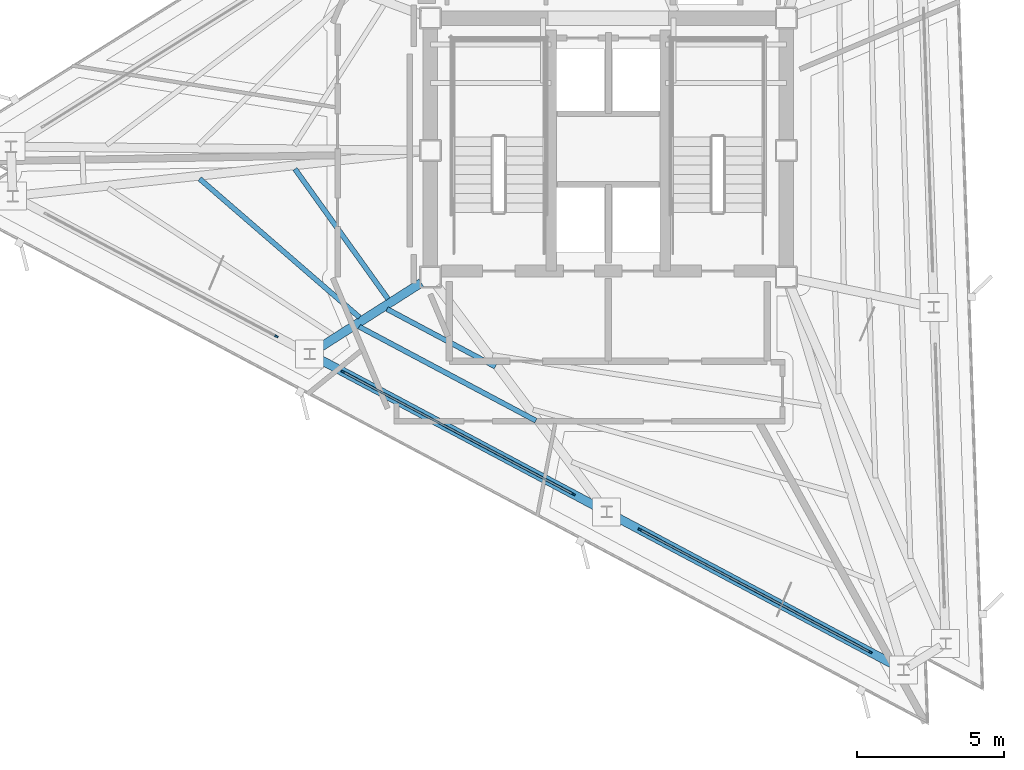
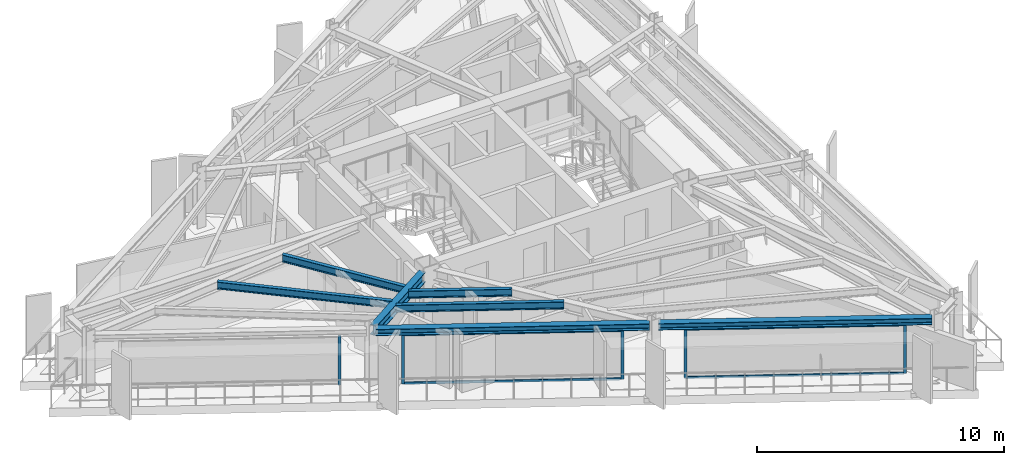
# One storey, part 2 of 13: 9 members, 7 beams, 3 elements without a shape of their own.
"""IFC4 building model written with IfcOpenShell, lengths in metres."""

from ifc_helpers import new_model, si_unit, direction, frame, origin, origin_2d, place, context, subcontext, project, spatial, rectangle, i_section, extrude, material, layer, layer_set, material_profile, profile_set, type_object, element, aggregate, save


model = new_model("IFC4")

# Units and contexts
model_context = context("Model", 3, precision=1e-05, world=origin(), true_north=direction((0.0, 1.0)))
body_context = subcontext(model_context, "Body", "Model", "MODEL_VIEW")
ifc_project = project(units=[si_unit("LENGTHUNIT", "METRE"), si_unit("AREAUNIT", "SQUARE_METRE"), si_unit("VOLUMEUNIT", "CUBIC_METRE"), si_unit("PLANEANGLEUNIT", "RADIAN"), si_unit("MASSUNIT", "GRAM", prefix="KILO")], contexts=[model_context])

# Site, building, storey
site_placement = place(None, origin())
site = spatial("IfcSite", under=ifc_project, at=site_placement, CompositionType="ELEMENT")
building_placement = place(site_placement, origin())
building = spatial("IfcBuilding", under=site, at=building_placement, Name="Rocaltana Carrier Exchange", CompositionType="ELEMENT")
storey_placement = place(building_placement, frame((0.0, 0.0, 193.60009765625)))
storey = spatial("IfcBuildingStorey", under=building, at=storey_placement, Name="L61", CompositionType="ELEMENT", Elevation=193.60009765625)

# Curtain wall, member
ifc_material_1 = material(Name="Aluminium 6063-T6", Category="aluminium")
ifc_layer = layer(ifc_material_1, 0.1201171875)
ifc_layer_set = layer_set([ifc_layer], Name="Aluminium 6063-T6")
curtain_wall_type = type_object("IfcCurtainWallType", Name="High-Altitude Thermal Curtain Wall CW-05", PredefinedType="NOTDEFINED", material=ifc_layer_set)
curtain_wall_1_placement = place(storey_placement, origin())
curtain_wall_1 = element("IfcCurtainWall", 1, at=curtain_wall_1_placement, inside=storey, type_object=curtain_wall_type, Name="L61 CW-05 Run CW-L61-F3S1", PredefinedType="NOTDEFINED")
ifc_material_2 = material(Name="Aluminium 6063-T6", Category="aluminium")
ifc_material_profile_1 = material_profile(ifc_material_2, rectangle(XDim=0.06005859375, YDim=0.1201171875, at=origin_2d()), Name="AL-60X120")
ifc_profile_set_1 = profile_set([ifc_material_profile_1], Name="Aluminium 6063-T6")
member_type_1 = type_object("IfcMemberType", Name="CW-05 Mullion AL-60X120", PredefinedType="MULLION", material=ifc_profile_set_1)
member_1_placement = place(storey_placement, frame((-11.282958984375, -6.31689453125, 0.0), z_axis=(0.0, 0.0, 1.0), x_axis=(0.469483388841, 0.882941304732, 0.0)))
member_1 = element("IfcMember", 2, at=member_1_placement, type_object=member_type_1, Name="CW-05 mullion 2", PredefinedType="MULLION", context=body_context, shape_type="SweptSolid", body=[
    extrude(rectangle(XDim=0.06005859375, YDim=0.1201171875, at=origin_2d()), origin(), (0.0, 0.0, 1.0), 2.447998046875),
])
aggregate(curtain_wall_1, [member_1])

# Curtain wall, members
curtain_wall_2_placement = place(storey_placement, origin())
curtain_wall_2 = element("IfcCurtainWall", 3, at=curtain_wall_2_placement, inside=storey, type_object=curtain_wall_type, Name="L61 CW-05 Run CW-L61-F3S2", PredefinedType="NOTDEFINED")
member_2_placement = place(storey_placement, frame((-9.0224609375, -7.5185546875, 0.0), z_axis=(0.0, 0.0, 1.0), x_axis=(0.469479302335, 0.882943477624, 0.0)))
member_2 = element("IfcMember", 4, at=member_2_placement, type_object=member_type_1, Name="CW-05 mullion 1", PredefinedType="MULLION", context=body_context, shape_type="SweptSolid", body=[
    extrude(rectangle(XDim=0.06005859375, YDim=0.1201171875, at=origin_2d()), origin(), (0.0, 0.0, 1.0), 2.447998046875),
])
member_3_placement = place(storey_placement, frame((-1.18798828125, -11.684326171875, 0.0), z_axis=(0.0, 0.0, 1.0), x_axis=(0.469479302335, 0.882943477624, 0.0)))
member_3 = element("IfcMember", 5, at=member_3_placement, type_object=member_type_1, Name="CW-05 mullion 2", PredefinedType="MULLION", context=body_context, shape_type="SweptSolid", body=[
    extrude(rectangle(XDim=0.06005859375, YDim=0.1201171875, at=origin_2d()), origin(), (0.0, 0.0, 1.0), 2.447998046875),
])

curtain_wall_3_placement = place(storey_placement, origin())
curtain_wall_3 = element("IfcCurtainWall", 6, at=curtain_wall_3_placement, inside=storey, type_object=curtain_wall_type, Name="L61 CW-05 Run CW-L61-F3S3", PredefinedType="NOTDEFINED")
member_4_placement = place(storey_placement, frame((1.072509765625, -12.88623046875, 0.0), z_axis=(0.0, 0.0, 1.0), x_axis=(0.469474662173, 0.882945944879, 0.0)))
member_4 = element("IfcMember", 7, at=member_4_placement, type_object=member_type_1, Name="CW-05 mullion 1", PredefinedType="MULLION", context=body_context, shape_type="SweptSolid", body=[
    extrude(rectangle(XDim=0.06005859375, YDim=0.1201171875, at=origin_2d()), origin(), (0.0, 0.0, 1.0), 2.447998046875),
])
member_5_placement = place(storey_placement, frame((8.9072265625, -17.052001953125, 0.0), z_axis=(0.0, 0.0, 1.0), x_axis=(0.469474662173, 0.882945944879, 0.0)))
member_5 = element("IfcMember", 8, at=member_5_placement, type_object=member_type_1, Name="CW-05 mullion 2", PredefinedType="MULLION", context=body_context, shape_type="SweptSolid", body=[
    extrude(rectangle(XDim=0.06005859375, YDim=0.1201171875, at=origin_2d()), origin(), (0.0, 0.0, 1.0), 2.447998046875),
])

# Member
ifc_material_3 = material(Name="Aluminium 6063-T6", Category="aluminium")
ifc_material_profile_2 = material_profile(ifc_material_3, rectangle(XDim=0.06005859375, YDim=0.1201171875, at=origin_2d()), Name="AL-60X120")
ifc_profile_set_2 = profile_set([ifc_material_profile_2], Name="Aluminium 6063-T6")
member_type_2 = type_object("IfcMemberType", Name="CW-05 Transom AL-60X120", PredefinedType="USERDEFINED", material=ifc_profile_set_2)
member_6_placement = place(storey_placement, frame((-8.99609375, -7.53271484375, 0.02978515625), z_axis=(0.882944221824, -0.469477902726, 0.0), x_axis=(0.469477902726, 0.882944221824, 0.0)))
member_6 = element("IfcMember", 9, at=member_6_placement, type_object=member_type_2, Name="CW-05 transom 1.1", ObjectType="TRANSOM", PredefinedType="USERDEFINED", context=body_context, shape_type="SweptSolid", body=[
    extrude(rectangle(XDim=0.06005859375, YDim=0.1201171875, at=origin_2d()), origin(), (0.0, 0.0, 1.0), 8.8134765625),
])

member_7_placement = place(storey_placement, frame((-8.99609375, -7.53271484375, 2.41796875), z_axis=(0.882944221824, -0.469477902726, 0.0), x_axis=(0.469477902726, 0.882944221824, 0.0)))
member_7 = element("IfcMember", 10, at=member_7_placement, type_object=member_type_2, Name="CW-05 transom 1.2", ObjectType="TRANSOM", PredefinedType="USERDEFINED", context=body_context, shape_type="SweptSolid", body=[
    extrude(rectangle(XDim=0.06005859375, YDim=0.1201171875, at=origin_2d()), origin(), (0.0, 0.0, 1.0), 8.8134765625),
])

aggregate(curtain_wall_2, [member_2, member_3, member_6, member_7])

member_8_placement = place(storey_placement, frame((1.098876953125, -12.900146484375, 0.02978515625), z_axis=(0.882944221824, -0.469477902726, 0.0), x_axis=(0.469477902726, 0.882944221824, 0.0)))
member_8 = element("IfcMember", 11, at=member_8_placement, type_object=member_type_2, Name="CW-05 transom 1.1", ObjectType="TRANSOM", PredefinedType="USERDEFINED", context=body_context, shape_type="SweptSolid", body=[
    extrude(rectangle(XDim=0.06005859375, YDim=0.1201171875, at=origin_2d()), origin(), (0.0, 0.0, 1.0), 8.8134765625),
])

member_9_placement = place(storey_placement, frame((1.098876953125, -12.900146484375, 2.41796875), z_axis=(0.882944221824, -0.469477902726, 0.0), x_axis=(0.469477902726, 0.882944221824, 0.0)))
member_9 = element("IfcMember", 12, at=member_9_placement, type_object=member_type_2, Name="CW-05 transom 1.2", ObjectType="TRANSOM", PredefinedType="USERDEFINED", context=body_context, shape_type="SweptSolid", body=[
    extrude(rectangle(XDim=0.06005859375, YDim=0.1201171875, at=origin_2d()), origin(), (0.0, 0.0, 1.0), 8.8134765625),
])

aggregate(curtain_wall_3, [member_4, member_5, member_8, member_9])

# Beams
ifc_material_4 = material(Name="Steel S355", Category="steel")
ifc_material_profile_3 = material_profile(ifc_material_4, i_section(OverallWidth=0.172119140625, OverallDepth=0.35791015625, WebThickness=0.0078125, FlangeThickness=0.01318359375, FilletRadius=0.011962890625, at=origin_2d()), Name="W14X38")
ifc_profile_set_3 = profile_set([ifc_material_profile_3], Name="Steel S355")
beam_type_1 = type_object("IfcBeamType", Name="Floor Joist W14X38", PredefinedType="JOIST", material=ifc_profile_set_3)
beam_1_placement = place(storey_placement, frame((-10.6513671875, -0.628662109375, 2.618896484375), z_axis=(0.582177044628, -0.813062044809, 0.0), x_axis=(0.813062044809, 0.582177044628, 0.0)))
element("IfcBeam", 13, at=beam_1_placement, inside=storey, type_object=beam_type_1, Name="FJ-L61-09-1", PredefinedType="JOIST", context=body_context, shape_type="SweptSolid", body=[
    extrude(i_section(OverallWidth=0.172119140625, OverallDepth=0.35791015625, WebThickness=0.0078125, FlangeThickness=0.01318359375, FilletRadius=0.011962890625, at=origin_2d()), origin(), (0.0, 0.0, 1.0), 5.43408203125),
])
beam_2_placement = place(storey_placement, frame((-13.891845703125, -0.96240234375, 2.618896484375), z_axis=(0.75579772027, -0.65480516647, 0.0), x_axis=(0.65480516647, 0.75579772027, 0.0)))
element("IfcBeam", 14, at=beam_2_placement, inside=storey, type_object=beam_type_1, Name="FJ-L61-09-2", PredefinedType="JOIST", context=body_context, shape_type="SweptSolid", body=[
    extrude(i_section(OverallWidth=0.172119140625, OverallDepth=0.35791015625, WebThickness=0.0078125, FlangeThickness=0.01318359375, FilletRadius=0.011962890625, at=origin_2d()), origin(), (0.0, 0.0, 1.0), 7.19189453125),
])
beam_3_placement = place(storey_placement, frame((-7.52294921875, -5.388427734375, 2.618896484375), z_axis=(0.882943632654, -0.469479010773, 0.0), x_axis=(0.469479010773, 0.882943632654, 0.0)))
element("IfcBeam", 15, at=beam_3_placement, inside=storey, type_object=beam_type_1, Name="FJ-L61-10-1", PredefinedType="JOIST", context=body_context, shape_type="SweptSolid", body=[
    extrude(i_section(OverallWidth=0.172119140625, OverallDepth=0.35791015625, WebThickness=0.0078125, FlangeThickness=0.01318359375, FilletRadius=0.011962890625, at=origin_2d()), origin(), (0.0, 0.0, 1.0), 4.171142578125),
])
beam_4_placement = place(storey_placement, frame((-8.466552734375, -5.990478515625, 2.618896484375), z_axis=(0.882938567036, -0.469488537496, 0.0), x_axis=(0.469488537496, 0.882938567036, 0.0)))
element("IfcBeam", 16, at=beam_4_placement, inside=storey, type_object=beam_type_1, Name="FJ-L61-10-2", PredefinedType="JOIST", context=body_context, shape_type="SweptSolid", body=[
    extrude(i_section(OverallWidth=0.172119140625, OverallDepth=0.35791015625, WebThickness=0.0078125, FlangeThickness=0.01318359375, FilletRadius=0.011962890625, at=origin_2d()), origin(), (0.0, 0.0, 1.0), 6.80078125),
])
ifc_material_5 = material(Name="Steel S355", Category="steel")
ifc_material_profile_4 = material_profile(ifc_material_5, i_section(OverallWidth=0.300048828125, OverallDepth=0.320068359375, WebThickness=0.011474609375, FlangeThickness=0.0205078125, FilletRadius=0.027099609375, at=origin_2d()), Name="HEB320")
ifc_profile_set_4 = profile_set([ifc_material_profile_4], Name="Steel S355")
beam_type_2 = type_object("IfcBeamType", Name="Spandrel Edge Beam HEB320", PredefinedType="SPANDREL", material=ifc_profile_set_4)
beam_5_placement = place(storey_placement, frame((-9.989013671875, -7.0048828125, 2.637939453125), z_axis=(0.882953364768, -0.469460707242, 0.0), x_axis=(0.469460707242, 0.882953364768, 0.0)))
element("IfcBeam", 17, at=beam_5_placement, inside=storey, type_object=beam_type_2, Name="SP-L61-10", PredefinedType="SPANDREL", context=body_context, shape_type="SweptSolid", body=[
    extrude(i_section(OverallWidth=0.300048828125, OverallDepth=0.320068359375, WebThickness=0.011474609375, FlangeThickness=0.0205078125, FilletRadius=0.027099609375, at=origin_2d()), origin(), (0.0, 0.0, 1.0), 11.0625),
])
beam_6_placement = place(storey_placement, frame((0.106201171875, -12.372314453125, 2.637939453125), z_axis=(0.882939352256, -0.469487060778, 0.0), x_axis=(0.469487060778, 0.882939352256, 0.0)))
element("IfcBeam", 18, at=beam_6_placement, inside=storey, type_object=beam_type_2, Name="SP-L61-11", PredefinedType="SPANDREL", context=body_context, shape_type="SweptSolid", body=[
    extrude(i_section(OverallWidth=0.300048828125, OverallDepth=0.320068359375, WebThickness=0.011474609375, FlangeThickness=0.0205078125, FilletRadius=0.027099609375, at=origin_2d()), origin(), (0.0, 0.0, 1.0), 11.062255859375),
])
ifc_material_6 = material(Name="Steel S355", Category="steel")
ifc_material_profile_5 = material_profile(ifc_material_6, i_section(OverallWidth=0.300048828125, OverallDepth=0.5, WebThickness=0.014404296875, FlangeThickness=0.028076171875, FilletRadius=0.027099609375, at=origin_2d()), Name="HEB500")
ifc_profile_set_5 = profile_set([ifc_material_profile_5], Name="Steel S355")
beam_type_3 = type_object("IfcBeamType", Name="Upper Radial Girder HEB500", PredefinedType="BEAM", material=ifc_profile_set_5)
beam_7_placement = place(storey_placement, frame((-6.359375, -4.497314453125, 2.5478515625), z_axis=(-0.843017756358, -0.53788573365, 0.0), x_axis=(0.53788573365, -0.843017756358, 0.0)))
element("IfcBeam", 19, at=beam_7_placement, inside=storey, type_object=beam_type_3, Name="RG-L61-10", PredefinedType="BEAM", context=body_context, shape_type="SweptSolid", body=[
    extrude(i_section(OverallWidth=0.300048828125, OverallDepth=0.5, WebThickness=0.014404296875, FlangeThickness=0.028076171875, FilletRadius=0.027099609375, at=origin_2d()), origin(), (0.0, 0.0, 1.0), 4.314208984375),
])

save(model, "model.ifc")
